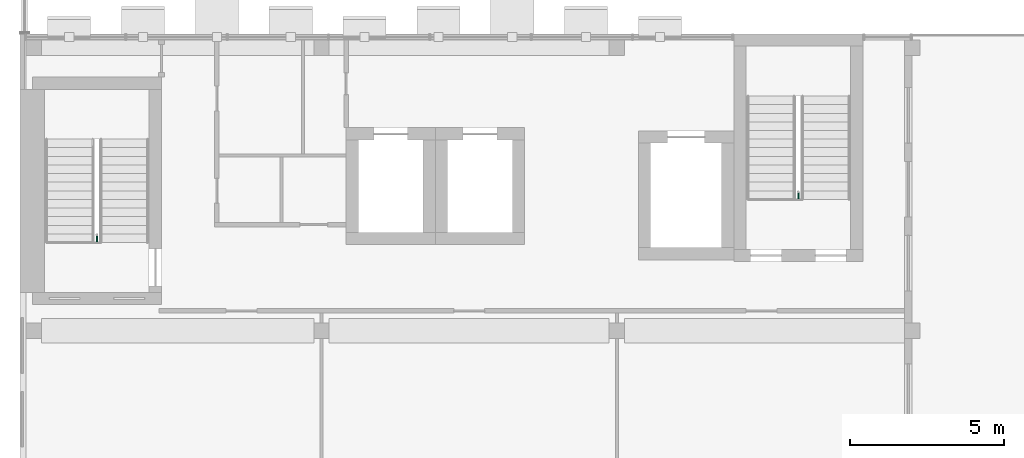
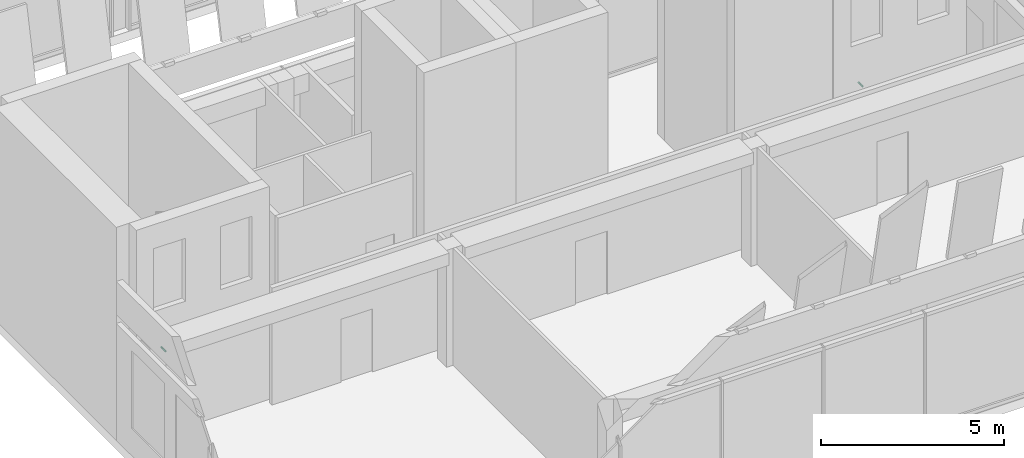
# One storey, part 25 of 26: 2 pipe fittings.
"""IFC4 building model written with IfcOpenShell, lengths in metres."""

from ifc_helpers import new_model, si_unit, direction, frame, origin, origin_2d, place, context, subcontext, project, spatial, circle, extrude, element, save


model = new_model("IFC4")

# Units and contexts
model_context = context("Model", 3, precision=1e-05, world=origin(), true_north=direction((0.0, 1.0)))
body_context = subcontext(model_context, "Body", "Model", "MODEL_VIEW")
ifc_project = project(units=[si_unit("LENGTHUNIT", "METRE"), si_unit("AREAUNIT", "SQUARE_METRE"), si_unit("VOLUMEUNIT", "CUBIC_METRE"), si_unit("PLANEANGLEUNIT", "RADIAN"), si_unit("MASSUNIT", "GRAM", prefix="KILO")], contexts=[model_context])

# Site, building, storey
site_placement = place(None, origin())
site = spatial("IfcSite", under=ifc_project, at=site_placement, CompositionType="ELEMENT")
building_placement = place(site_placement, origin())
building = spatial("IfcBuilding", under=site, at=building_placement, Name="Nzadi Deep Aquarium and Research Tower", CompositionType="ELEMENT")
storey_placement = place(building_placement, frame((0.0, 0.0, 78.10009765625)))
storey = spatial("IfcBuildingStorey", under=building, at=storey_placement, Name="L16", CompositionType="ELEMENT", Elevation=78.10009765625)

# Pipe fittings
for number, where, z_axis, x_axis, name in (
    (1, (2.300048828125, 12.320068359375, 1.099853515625), (0.0, -1.0, 0.0), (1.0, 0.0, 0.0), "Dry riser outlet ST-Z1-SW L16"),
    (2, (25.10009765625, 13.719970703125, 1.099853515625), (0.0, -1.0, 0.0), (1.0, 0.0, 0.0), "Dry riser outlet ST-Z1-SE L16"),
):
    element("IfcPipeFitting", number, at=place(storey_placement, frame(where, z_axis=z_axis, x_axis=x_axis)), inside=storey, Name=name, PredefinedType="EXIT", context=body_context, shape_type="SweptSolid", body=[
        extrude(circle(Radius=0.0224609375, at=origin_2d()), origin(), (0.0, 0.0, 1.0), 0.22998046875),
    ])

save(model, "model.ifc")
